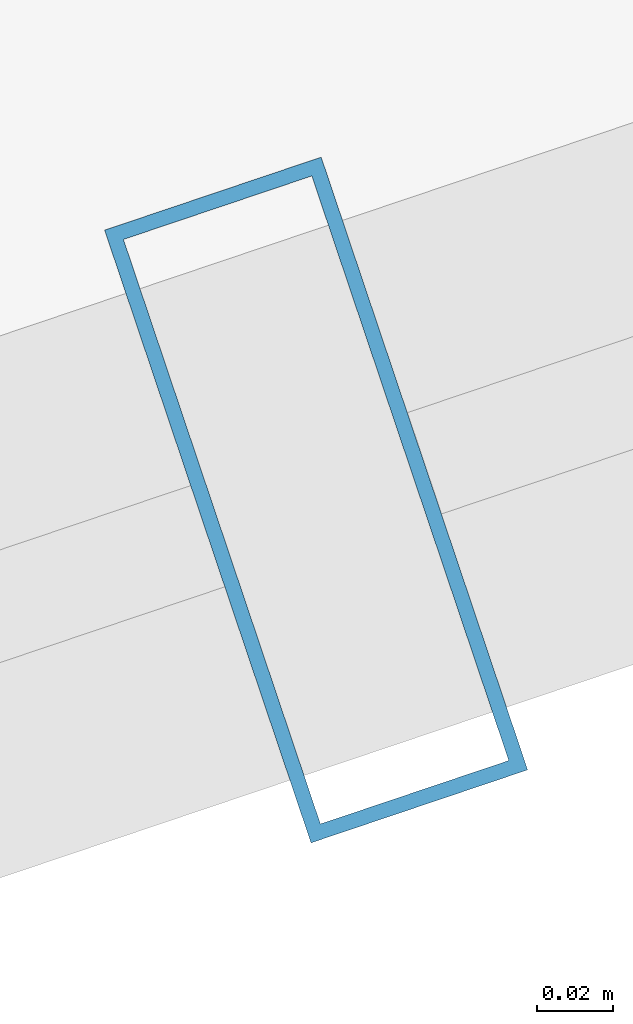
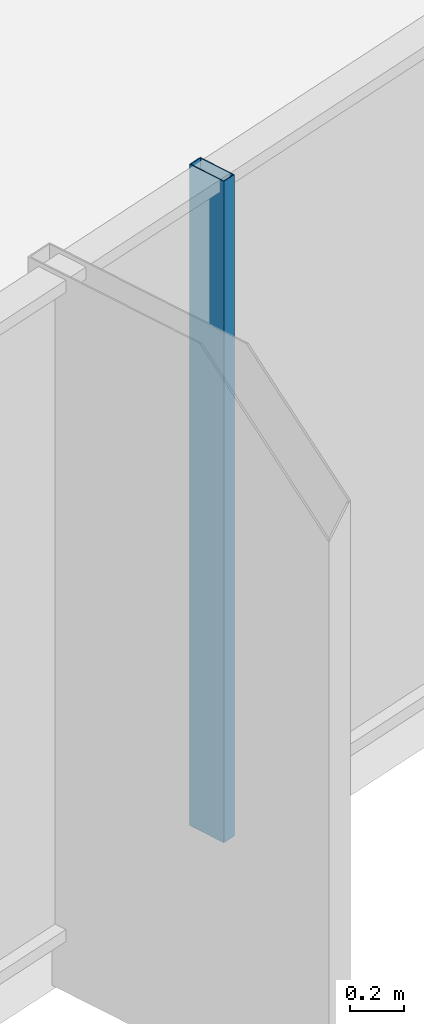
# One storey, part 9 of 32: 1 member, 1 element without a shape of its own.
"""IFC4 building model written with IfcOpenShell, lengths in metres."""

from ifc_helpers import new_model, si_unit, direction, frame, origin, origin_2d, place, context, subcontext, project, spatial, hollow_rectangle, extrude, source, transform, mapped, material, layer, layer_set, material_profile, profile_set, type_object, element, aggregate, save


model = new_model("IFC4")

# Units and contexts
model_context = context("Model", 3, precision=1e-05, world=origin(), true_north=direction((0.0, 1.0)))
body_context = subcontext(model_context, "Body", "Model", "MODEL_VIEW")
ifc_project = project(units=[si_unit("LENGTHUNIT", "METRE"), si_unit("AREAUNIT", "SQUARE_METRE"), si_unit("VOLUMEUNIT", "CUBIC_METRE"), si_unit("PLANEANGLEUNIT", "RADIAN"), si_unit("MASSUNIT", "GRAM", prefix="KILO")], contexts=[model_context])

# Site, building, storey
site_placement = place(None, origin())
site = spatial("IfcSite", under=ifc_project, at=site_placement, CompositionType="ELEMENT")
building_placement = place(site_placement, origin())
building = spatial("IfcBuilding", under=site, at=building_placement, Name="Veraguas Prism Commons", CompositionType="ELEMENT")
storey_placement = place(building_placement, frame((0.0, 0.0, 89.449951171875)))
storey = spatial("IfcBuildingStorey", under=building, at=storey_placement, Name="L24", CompositionType="ELEMENT", Elevation=89.449951171875)

# Curtain wall, member
ifc_material = material(Name="Anodised aluminium EN AW-6063 T6", Category="aluminium")
ifc_layer = layer(ifc_material, 0.169921875, Name="Unitised Flush Curtain Wall Zone 2", Category="aluminium")
ifc_layer_set = layer_set([ifc_layer], Name="Anodised aluminium EN AW-6063 T6")
curtain_wall_type = type_object("IfcCurtainWallType", Name="Unitised Flush Curtain Wall Zone 2", PredefinedType="NOTDEFINED", material=ifc_layer_set)
curtain_wall_placement = place(storey_placement, origin())
curtain_wall = element("IfcCurtainWall", 1, at=curtain_wall_placement, inside=storey, type_object=curtain_wall_type, Name="Tower Facade Curtain Wall L24-F5", PredefinedType="NOTDEFINED")
ifc_material_profile = material_profile(ifc_material, hollow_rectangle(XDim=0.06005859375, YDim=0.169921875, WallThickness=0.00390625, at=origin_2d()), Name="AL60X170X4")
ifc_profile_set = profile_set([ifc_material_profile], Name="Anodised aluminium EN AW-6063 T6")
member_type = type_object("IfcMemberType", Name="Curtain Wall Mullion Lower AL 60x170x4", PredefinedType="MULLION", material=ifc_profile_set)
shared_shape = source(origin(), body_context, "Body", "SweptSolid", [
    extrude(hollow_rectangle(XDim=0.06005859375, YDim=0.169921875, WallThickness=0.00390625, at=origin_2d()), origin(), (0.0, 0.0, 1.0), 3.0),
])
member_placement = place(storey_placement, frame((34.207763671875, 7.197265625, 0.0), z_axis=(0.0, 0.0, 1.0), x_axis=(0.94765924351, 0.319283507543, 0.0)))
member = element("IfcMember", 2, at=member_placement, type_object=member_type, Name="CW-Z2 Mullion 4", PredefinedType="MULLION", context=body_context, shape_type="MappedRepresentation", body=[
    mapped(shared_shape, transform((0.0, 0.0, 0.0), scale=1.0)),
])
aggregate(curtain_wall, [member])

save(model, "model.ifc")
